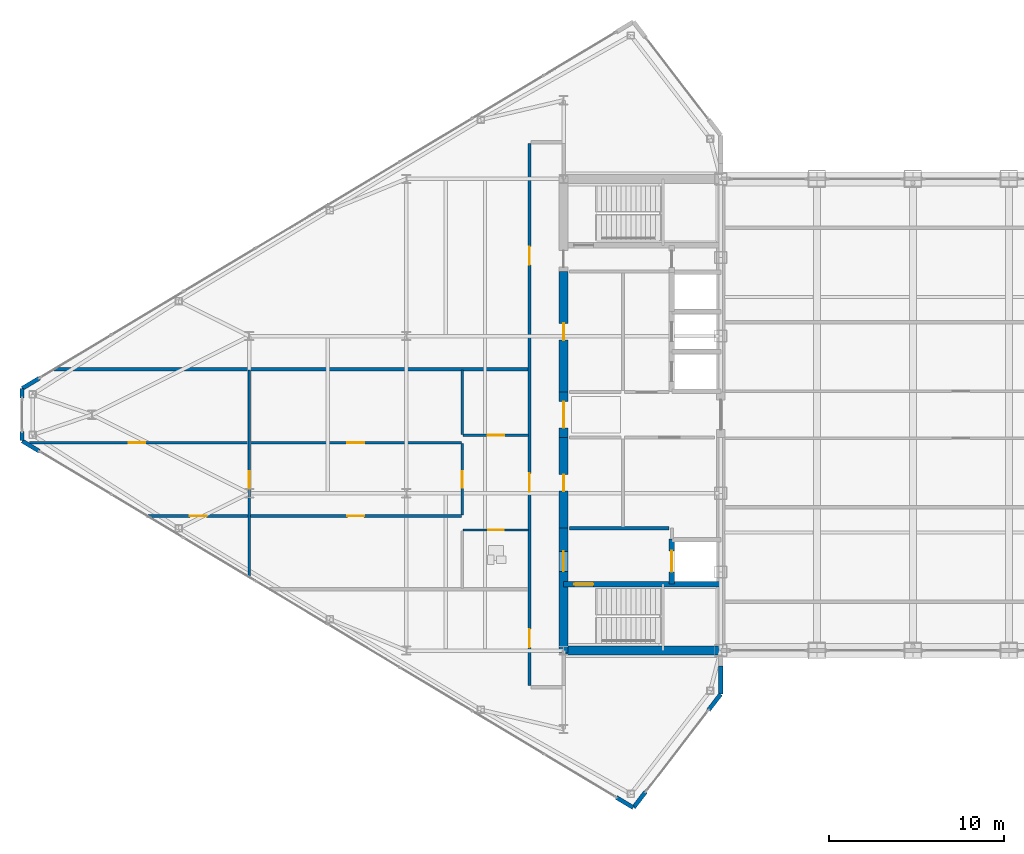
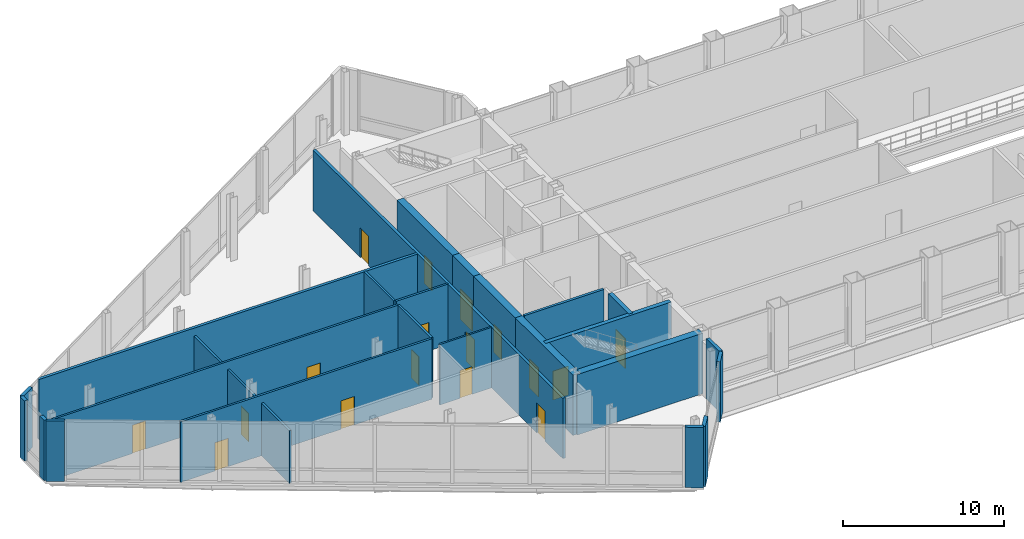
# One storey, part 22 of 30: 25 walls, 17 doors, 17 openings.
"""IFC4 building model written with IfcOpenShell, lengths in metres."""

from ifc_helpers import new_model, si_unit, direction, frame, frame_2d, origin, place, context, subcontext, project, spatial, rectangle, extrude, source, transform, mapped, material, layer, layer_set, type_object, type_shapes, element, fill, save


model = new_model("IFC4")

# Units and contexts
model_context = context("Model", 3, precision=1e-05, world=origin(), true_north=direction((0.0, 1.0)))
body_context = subcontext(model_context, "Body", "Model", "MODEL_VIEW")
ifc_project = project(units=[si_unit("LENGTHUNIT", "METRE"), si_unit("AREAUNIT", "SQUARE_METRE"), si_unit("VOLUMEUNIT", "CUBIC_METRE"), si_unit("PLANEANGLEUNIT", "RADIAN"), si_unit("MASSUNIT", "GRAM", prefix="KILO")], contexts=[model_context])

# Site, building, storey
site_placement = place(None, origin())
site = spatial("IfcSite", under=ifc_project, at=site_placement, CompositionType="ELEMENT")
building_placement = place(site_placement, origin())
building = spatial("IfcBuilding", under=site, at=building_placement, Name="Seokmaru Belvedere", CompositionType="ELEMENT")
storey_placement = place(building_placement, frame((0.0, 0.0, 234.60009765625)))
storey = spatial("IfcBuildingStorey", under=building, at=storey_placement, Name="L62", CompositionType="ELEMENT", Elevation=234.60009765625)

# Wall, openings, doors
ifc_material_1 = material(Name="Fire-Rated Gypsum Shaftwall")
ifc_layer_1 = layer(ifc_material_1, 0.14990234375)
ifc_layer_set_1 = layer_set([ifc_layer_1], Name="Fire-Rated Gypsum Shaftwall")
wall_type_1 = type_object("IfcWallType", Name="Apartment Fire-Acoustic Room Partition 150", PredefinedType="PARTITIONING", material=ifc_layer_set_1)
wall_1_placement = place(storey_placement, frame((-60.367919921875, -5.800048828125, 0.0), z_axis=(0.0, 0.0, 1.0), x_axis=(1.0, 0.0, 0.0)))
wall_1 = element("IfcWall", 1, at=wall_1_placement, inside=storey, type_object=wall_type_1, Name="L62 Interior Partition 008", PredefinedType="PARTITIONING", context=body_context, shape_type="SweptSolid", body=[
    extrude(rectangle(XDim=18.017822265625, YDim=0.14990234375, at=frame_2d((9.0087890625, 0.0))), origin(), (0.0, 0.0, 1.0), 4.579833984375),
])
opening_1_placement = place(wall_1_placement, frame((11.492919921875, 0.0, 0.0)))
opening_1 = element("IfcOpeningElement", 2, at=opening_1_placement, cuts=wall_1, Name="Opening D05", PredefinedType="OPENING", context=body_context, shape_type="SweptSolid", body=[
    extrude(rectangle(XDim=0.949951171875, YDim=2.14990234375, at=frame_2d((0.47509765625, 1.074951171875))), frame((0.0, 0.0849609375, 0.0), z_axis=(0.0, -1.0, 0.0), x_axis=(1.0, 0.0, 0.0)), (0.0, 0.0, 1.0), 0.169921875),
])
opening_2_placement = place(wall_1_placement, frame((2.476318359375, 0.0, 0.0)))
opening_2 = element("IfcOpeningElement", 3, at=opening_2_placement, cuts=wall_1, Name="Opening D05", PredefinedType="OPENING", context=body_context, shape_type="SweptSolid", body=[
    extrude(rectangle(XDim=0.949951171875, YDim=2.14990234375, at=frame_2d((0.47509765625, 1.074951171875))), frame((0.0, 0.0849609375, 0.0), z_axis=(0.0, -1.0, 0.0), x_axis=(1.0, 0.0, 0.0)), (0.0, 0.0, 1.0), 0.169921875),
])
ifc_material_2 = material(Name="Engineered White Oak Timber", Category="wood")
door_type_1 = type_object("IfcDoorType", Name="Apartment Interior Fire-Rated Oak Door 950x2150", OperationType="NOTDEFINED", PredefinedType="DOOR", material=ifc_material_2)
shared_shape_1 = source(origin(), body_context, "Body", "SweptSolid", [
    extrude(rectangle(XDim=0.949951171875, YDim=2.14990234375, at=frame_2d((0.47509765625, 1.074951171875))), frame((0.0, 0.02490234375, 0.0), z_axis=(0.0, -1.0, 0.0), x_axis=(1.0, 0.0, 0.0)), (0.0, 0.0, 1.0), 0.050048828125),
])
type_shapes(door_type_1, [shared_shape_1])
door_1_placement = place(opening_1_placement, origin())
door_1 = element("IfcDoor", 4, at=door_1_placement, inside=storey, type_object=door_type_1, Name="L62 Interior Door 007", OperationType="SINGLE_SWING_LEFT", OverallHeight=2.14990234375, OverallWidth=0.949951171875, PredefinedType="DOOR", context=body_context, shape_type="MappedRepresentation", body=[
    mapped(shared_shape_1, transform((0.0, 0.0, 0.0), scale=1.0)),
])
fill(opening_1, door_1)
door_2_placement = place(opening_2_placement, origin())
door_2 = element("IfcDoor", 5, at=door_2_placement, inside=storey, type_object=door_type_1, Name="L62 Interior Door 009", OperationType="SINGLE_SWING_RIGHT", OverallHeight=2.14990234375, OverallWidth=0.949951171875, PredefinedType="DOOR", context=body_context, shape_type="MappedRepresentation", body=[
    mapped(shared_shape_1, transform((0.0, 0.0, 0.0), scale=1.0)),
])
fill(opening_2, door_2)

wall_2_placement = place(storey_placement, frame((-67.09033203125, -1.60009765625, 0.0), z_axis=(0.0, 0.0, 1.0), x_axis=(1.0, 0.0, 0.0)))
wall_2 = element("IfcWall", 6, at=wall_2_placement, inside=storey, type_object=wall_type_1, Name="L62 Interior Partition 011", PredefinedType="PARTITIONING", context=body_context, shape_type="SweptSolid", body=[
    extrude(rectangle(XDim=24.740234375, YDim=0.14990234375, at=frame_2d((12.3701171875, 0.0))), origin(), (0.0, 0.0, 1.0), 4.579833984375),
])
opening_3_placement = place(wall_2_placement, frame((18.21533203125, 0.0, 0.0)))
opening_3 = element("IfcOpeningElement", 7, at=opening_3_placement, cuts=wall_2, Name="Opening D05", PredefinedType="OPENING", context=body_context, shape_type="SweptSolid", body=[
    extrude(rectangle(XDim=0.949951171875, YDim=2.14990234375, at=frame_2d((0.47509765625, 1.074951171875))), frame((0.0, 0.0849609375, 0.0), z_axis=(0.0, -1.0, 0.0), x_axis=(1.0, 0.0, 0.0)), (0.0, 0.0, 1.0), 0.169921875),
])
opening_4_placement = place(wall_2_placement, frame((5.698486328125, 0.0, 0.0)))
opening_4 = element("IfcOpeningElement", 8, at=opening_4_placement, cuts=wall_2, Name="Opening D05", PredefinedType="OPENING", context=body_context, shape_type="SweptSolid", body=[
    extrude(rectangle(XDim=0.949951171875, YDim=2.14990234375, at=frame_2d((0.47509765625, 1.074951171875))), frame((0.0, 0.0849609375, 0.0), z_axis=(0.0, -1.0, 0.0), x_axis=(1.0, 0.0, 0.0)), (0.0, 0.0, 1.0), 0.169921875),
])
door_3_placement = place(opening_3_placement, origin())
door_3 = element("IfcDoor", 9, at=door_3_placement, inside=storey, type_object=door_type_1, Name="L62 Interior Door 008", OperationType="SINGLE_SWING_RIGHT", OverallHeight=2.14990234375, OverallWidth=0.949951171875, PredefinedType="DOOR", context=body_context, shape_type="MappedRepresentation", body=[
    mapped(shared_shape_1, transform((0.0, 0.0, 0.0), scale=1.0)),
])
fill(opening_3, door_3)
door_4_placement = place(opening_4_placement, origin())
door_4 = element("IfcDoor", 10, at=door_4_placement, inside=storey, type_object=door_type_1, Name="L62 Interior Door 010", OperationType="SINGLE_SWING_RIGHT", OverallHeight=2.14990234375, OverallWidth=0.949951171875, PredefinedType="DOOR", context=body_context, shape_type="MappedRepresentation", body=[
    mapped(shared_shape_1, transform((0.0, 0.0, 0.0), scale=1.0)),
])
fill(opening_4, door_4)

# Wall, opening, door
wall_3_placement = place(storey_placement, frame((-42.25, -1.179931640625, 0.0), z_axis=(0.0, 0.0, 1.0), x_axis=(1.0, 0.0, 0.0)))
wall_3 = element("IfcWall", 11, at=wall_3_placement, inside=storey, type_object=wall_type_1, Name="L62 Interior Partition 014", PredefinedType="PARTITIONING", context=body_context, shape_type="SweptSolid", body=[
    extrude(rectangle(XDim=3.75, YDim=0.14990234375, at=frame_2d((1.875, 0.0))), origin(), (0.0, 0.0, 1.0), 4.579833984375),
])
opening_5_placement = place(wall_3_placement, frame((1.39990234375, 0.0, 0.0)))
opening_5 = element("IfcOpeningElement", 12, at=opening_5_placement, cuts=wall_3, Name="Opening D05", PredefinedType="OPENING", context=body_context, shape_type="SweptSolid", body=[
    extrude(rectangle(XDim=0.949951171875, YDim=2.14990234375, at=frame_2d((0.47509765625, 1.074951171875))), frame((0.0, 0.0849609375, 0.0), z_axis=(0.0, -1.0, 0.0), x_axis=(1.0, 0.0, 0.0)), (0.0, 0.0, 1.0), 0.169921875),
])
door_5_placement = place(opening_5_placement, origin())
door_5 = element("IfcDoor", 13, at=door_5_placement, inside=storey, type_object=door_type_1, Name="L62 Interior Door 004", OperationType="SINGLE_SWING_LEFT", OverallHeight=2.14990234375, OverallWidth=0.949951171875, PredefinedType="DOOR", context=body_context, shape_type="MappedRepresentation", body=[
    mapped(shared_shape_1, transform((0.0, 0.0, 0.0), scale=1.0)),
])
fill(opening_5, door_5)

wall_4_placement = place(storey_placement, frame((-54.5, -9.3349609375, 0.0), z_axis=(0.0, 0.0, 1.0), x_axis=(0.0, 1.0, 0.0)))
wall_4 = element("IfcWall", 14, at=wall_4_placement, inside=storey, type_object=wall_type_1, Name="L62 Interior Partition 026", PredefinedType="PARTITIONING", context=body_context, shape_type="SweptSolid", body=[
    extrude(rectangle(XDim=11.885009765625, YDim=0.14990234375, at=frame_2d((5.9423828125, 0.0))), origin(), (0.0, 0.0, 1.0), 3.97998046875),
])
opening_6_placement = place(wall_4_placement, frame((5.159912109375, 0.0, 0.0)))
opening_6 = element("IfcOpeningElement", 15, at=opening_6_placement, cuts=wall_4, Name="Opening D05", PredefinedType="OPENING", context=body_context, shape_type="SweptSolid", body=[
    extrude(rectangle(XDim=0.949951171875, YDim=2.14990234375, at=frame_2d((0.47509765625, 1.074951171875))), frame((0.0, 0.0849609375, 0.0), z_axis=(0.0, -1.0, 0.0), x_axis=(1.0, 0.0, 0.0)), (0.0, 0.0, 1.0), 0.169921875),
])
door_6_placement = place(opening_6_placement, origin())
door_6 = element("IfcDoor", 16, at=door_6_placement, inside=storey, type_object=door_type_1, Name="L62 Interior Door 006", OperationType="SINGLE_SWING_LEFT", OverallHeight=2.14990234375, OverallWidth=0.949951171875, PredefinedType="DOOR", context=body_context, shape_type="MappedRepresentation", body=[
    mapped(shared_shape_1, transform((0.0, 0.0, 0.0), scale=1.0)),
])
fill(opening_6, door_6)

wall_5_placement = place(storey_placement, frame((-42.300048828125, -5.75, 0.0), z_axis=(0.0, 0.0, 1.0), x_axis=(0.0, 1.0, 0.0)))
wall_5 = element("IfcWall", 17, at=wall_5_placement, inside=storey, type_object=wall_type_1, Name="L62 Interior Partition 028", PredefinedType="PARTITIONING", context=body_context, shape_type="SweptSolid", body=[
    extrude(rectangle(XDim=4.10009765625, YDim=0.14990234375, at=frame_2d((2.050048828125, 0.0))), origin(), (0.0, 0.0, 1.0), 4.579833984375),
])
opening_7_placement = place(wall_5_placement, frame((1.574951171875, 0.0, 0.0)))
opening_7 = element("IfcOpeningElement", 18, at=opening_7_placement, cuts=wall_5, Name="Opening D05", PredefinedType="OPENING", context=body_context, shape_type="SweptSolid", body=[
    extrude(rectangle(XDim=0.949951171875, YDim=2.14990234375, at=frame_2d((0.47509765625, 1.074951171875))), frame((0.0, 0.0849609375, 0.0), z_axis=(0.0, -1.0, 0.0), x_axis=(1.0, 0.0, 0.0)), (0.0, 0.0, 1.0), 0.169921875),
])
door_7_placement = place(opening_7_placement, origin())
door_7 = element("IfcDoor", 19, at=door_7_placement, inside=storey, type_object=door_type_1, Name="L62 Interior Door 005", OperationType="SINGLE_SWING_RIGHT", OverallHeight=2.14990234375, OverallWidth=0.949951171875, PredefinedType="DOOR", context=body_context, shape_type="MappedRepresentation", body=[
    mapped(shared_shape_1, transform((0.0, 0.0, 0.0), scale=1.0)),
])
fill(opening_7, door_7)

# Walls
wall_6_placement = place(storey_placement, frame((-42.300048828125, -1.1279296875, 0.0), z_axis=(0.0, 0.0, 1.0), x_axis=(0.0, 1.0, 0.0)))
element("IfcWall", 20, at=wall_6_placement, inside=storey, type_object=wall_type_1, Name="L62 Interior Partition 029", PredefinedType="PARTITIONING", context=body_context, shape_type="SweptSolid", body=[
    extrude(rectangle(XDim=3.677978515625, YDim=0.14990234375, at=frame_2d((1.8388671875, 0.0))), origin(), (0.0, 0.0, 1.0), 4.579833984375),
])
ifc_layer_2 = layer(ifc_material_1, 0.179931640625)
ifc_layer_set_2 = layer_set([ifc_layer_2], Name="Fire-Rated Gypsum Shaftwall")
wall_type_2 = type_object("IfcWallType", Name="Core Service Fire Partition 180", PredefinedType="PARTITIONING", material=ifc_layer_set_2)
wall_7_placement = place(storey_placement, frame((-36.14990234375, -6.5, 0.0), z_axis=(0.0, 0.0, 1.0), x_axis=(1.0, 0.0, 0.0)))
element("IfcWall", 21, at=wall_7_placement, inside=storey, type_object=wall_type_2, Name="L62 West Firefighting Lobby Partition", PredefinedType="PARTITIONING", context=body_context, shape_type="SweptSolid", body=[
    extrude(rectangle(XDim=5.699951171875, YDim=0.179931640625, at=frame_2d((2.85009765625, 0.0))), origin(), (0.0, 0.0, 1.0), 4.579833984375),
])
ifc_layer_3 = layer(ifc_material_1, 0.199951171875)
ifc_layer_set_3 = layer_set([ifc_layer_3], Name="Fire-Rated Gypsum Shaftwall")
wall_type_3 = type_object("IfcWallType", Name="Inter-Tenancy Fire Compartment Partition 200", PredefinedType="PARTITIONING", material=ifc_layer_set_3)
wall_8_placement = place(storey_placement, frame((-65.676025390625, 2.60009765625, 0.0), z_axis=(0.0, 0.0, 1.0), x_axis=(1.0, 0.0, 0.0)))
element("IfcWall", 22, at=wall_8_placement, inside=storey, type_object=wall_type_3, Name="L62 Interior Partition 019", PredefinedType="PARTITIONING", context=body_context, shape_type="SweptSolid", body=[
    extrude(rectangle(XDim=27.14599609375, YDim=0.199951171875, at=frame_2d((13.572998046875, 0.0))), origin(), (0.0, 0.0, 1.0), 4.579833984375),
])

# Wall, openings, doors
wall_9_placement = place(storey_placement, frame((-38.449951171875, -15.514892578125, 0.0), z_axis=(0.0, 0.0, 1.0), x_axis=(0.0, 1.0, 0.0)))
wall_9 = element("IfcWall", 23, at=wall_9_placement, inside=storey, type_object=wall_type_3, Name="L62 Interior Partition 030", PredefinedType="PARTITIONING", context=body_context, shape_type="SweptSolid", body=[
    extrude(rectangle(XDim=31.02978515625, YDim=0.199951171875, at=frame_2d((15.514892578125, 0.0))), origin(), (0.0, 0.0, 1.0), 4.579833984375),
])
opening_8_placement = place(wall_9_placement, frame((2.18994140625, 0.0, 0.0)))
opening_8 = element("IfcOpeningElement", 24, at=opening_8_placement, cuts=wall_9, Name="Opening D03", PredefinedType="OPENING", context=body_context, shape_type="SweptSolid", body=[
    extrude(rectangle(XDim=1.050048828125, YDim=2.25, at=frame_2d((0.52490234375, 1.125))), frame((0.0, 0.10986328125, 0.0), z_axis=(0.0, -1.0, 0.0), x_axis=(1.0, 0.0, 0.0)), (0.0, 0.0, 1.0), 0.219970703125),
])
opening_9_placement = place(wall_9_placement, frame((11.10107421875, 0.0, 0.0)))
opening_9 = element("IfcOpeningElement", 25, at=opening_9_placement, cuts=wall_9, Name="Opening D03", PredefinedType="OPENING", context=body_context, shape_type="SweptSolid", body=[
    extrude(rectangle(XDim=1.050048828125, YDim=2.25, at=frame_2d((0.52490234375, 1.125))), frame((0.0, 0.10986328125, 0.0), z_axis=(0.0, -1.0, 0.0), x_axis=(1.0, 0.0, 0.0)), (0.0, 0.0, 1.0), 0.219970703125),
])
opening_10_placement = place(wall_9_placement, frame((24.090087890625, 0.0, 0.0)))
opening_10 = element("IfcOpeningElement", 26, at=opening_10_placement, cuts=wall_9, Name="Opening D03", PredefinedType="OPENING", context=body_context, shape_type="SweptSolid", body=[
    extrude(rectangle(XDim=1.050048828125, YDim=2.25, at=frame_2d((0.52490234375, 1.125))), frame((0.0, 0.10986328125, 0.0), z_axis=(0.0, -1.0, 0.0), x_axis=(1.0, 0.0, 0.0)), (0.0, 0.0, 1.0), 0.219970703125),
])
ifc_material_3 = material(Name="Fire-Rated Steel Leaf", Category="steel")
door_type_2 = type_object("IfcDoorType", Name="Apartment Entrance Fire Door 1050x2250", OperationType="NOTDEFINED", PredefinedType="DOOR", material=ifc_material_3)
shared_shape_2 = source(origin(), body_context, "Body", "SweptSolid", [
    extrude(rectangle(XDim=1.050048828125, YDim=2.25, at=frame_2d((0.52490234375, 1.125))), frame((0.0, 0.02490234375, 0.0), z_axis=(0.0, -1.0, 0.0), x_axis=(1.0, 0.0, 0.0)), (0.0, 0.0, 1.0), 0.050048828125),
])
type_shapes(door_type_2, [shared_shape_2])
door_8_placement = place(opening_8_placement, origin())
door_8 = element("IfcDoor", 27, at=door_8_placement, inside=storey, type_object=door_type_2, Name="L62 Interior Door 001", OperationType="SINGLE_SWING_RIGHT", OverallHeight=2.25, OverallWidth=1.050048828125, PredefinedType="DOOR", context=body_context, shape_type="MappedRepresentation", body=[
    mapped(shared_shape_2, transform((0.0, 0.0, 0.0), scale=1.0)),
])
fill(opening_8, door_8)
door_9_placement = place(opening_9_placement, origin())
door_9 = element("IfcDoor", 28, at=door_9_placement, inside=storey, type_object=door_type_2, Name="L62 Interior Door 002", OperationType="SINGLE_SWING_LEFT", OverallHeight=2.25, OverallWidth=1.050048828125, PredefinedType="DOOR", context=body_context, shape_type="MappedRepresentation", body=[
    mapped(shared_shape_2, transform((0.0, 0.0, 0.0), scale=1.0)),
])
fill(opening_9, door_9)
door_10_placement = place(opening_10_placement, origin())
door_10 = element("IfcDoor", 29, at=door_10_placement, inside=storey, type_object=door_type_2, Name="L62 Interior Door 011", OperationType="SINGLE_SWING_RIGHT", OverallHeight=2.25, OverallWidth=1.050048828125, PredefinedType="DOOR", context=body_context, shape_type="MappedRepresentation", body=[
    mapped(shared_shape_2, transform((0.0, 0.0, 0.0), scale=1.0)),
])
fill(opening_10, door_10)

# Wall, opening, door
ifc_material_4 = material(Name="Concrete C50 (50 MPa)", Category="concrete")
ifc_layer_4 = layer(ifc_material_4, 0.300048828125)
ifc_layer_set_4 = layer_set([ifc_layer_4], Name="Concrete C50 (50 MPa)")
wall_type_4 = type_object("IfcWallType", Name="Internal Core Stair and Hoistway Wall 300", PredefinedType="SHEAR", material=ifc_layer_set_4)
wall_10_placement = place(storey_placement, frame((-36.5, -9.699951171875, 0.0), z_axis=(0.0, 0.0, 1.0), x_axis=(1.0, 0.0, 0.0)))
wall_10 = element("IfcWall", 30, at=wall_10_placement, inside=storey, type_object=wall_type_4, Name="L62 West Stair ST-1 Enclosure Wall", PredefinedType="SHEAR", context=body_context, shape_type="SweptSolid", body=[
    extrude(rectangle(XDim=9.0, YDim=0.300048828125, at=frame_2d((4.5, 0.0))), origin(), (0.0, 0.0, 1.0), 4.579833984375),
])
opening_11_placement = place(wall_10_placement, frame((0.60009765625, 0.0, 0.0)))
opening_11 = element("IfcOpeningElement", 31, at=opening_11_placement, cuts=wall_10, Name="Opening D01", PredefinedType="OPENING", context=body_context, shape_type="SweptSolid", body=[
    extrude(rectangle(XDim=1.10009765625, YDim=2.199951171875, at=frame_2d((0.550048828125, 1.10009765625))), frame((0.0, 0.16015625, 0.0), z_axis=(0.0, -1.0, 0.0), x_axis=(1.0, 0.0, 0.0)), (0.0, 0.0, 1.0), 0.320068359375),
])
door_type_3 = type_object("IfcDoorType", Name="Special Escape Stair Smokeproof Fire Door 1100x2200", OperationType="NOTDEFINED", PredefinedType="DOOR", material=ifc_material_3)
shared_shape_3 = source(origin(), body_context, "Body", "SweptSolid", [
    extrude(rectangle(XDim=1.10009765625, YDim=2.199951171875, at=frame_2d((0.550048828125, 1.10009765625))), frame((0.0, 0.02490234375, 0.0), z_axis=(0.0, -1.0, 0.0), x_axis=(1.0, 0.0, 0.0)), (0.0, 0.0, 1.0), 0.050048828125),
])
type_shapes(door_type_3, [shared_shape_3])
door_11_placement = place(opening_11_placement, frame((1.10009765625, 0.0, 0.0), z_axis=(0.0, 0.0, 1.0), x_axis=(-1.0, 0.0, 0.0)))
door_11 = element("IfcDoor", 32, at=door_11_placement, inside=storey, type_object=door_type_3, Name="L62 West Special Escape Stair ST-1 Door", OperationType="SINGLE_SWING_LEFT", OverallHeight=2.199951171875, OverallWidth=1.10009765625, PredefinedType="DOOR", context=body_context, shape_type="MappedRepresentation", body=[
    mapped(shared_shape_3, transform((0.0, 0.0, 0.0), scale=1.0)),
])
fill(opening_11, door_11)

wall_11_placement = place(storey_placement, frame((-30.300048828125, -9.679931640625, 0.0), z_axis=(0.0, 0.0, 1.0), x_axis=(0.0, 1.0, 0.0)))
wall_11 = element("IfcWall", 33, at=wall_11_placement, inside=storey, type_object=wall_type_4, Name="L62 West Firefighting Lift Shaft Front Wall", PredefinedType="SHEAR", context=body_context, shape_type="SweptSolid", body=[
    extrude(rectangle(XDim=2.559814453125, YDim=0.300048828125, at=frame_2d((1.27978515625, 0.0))), origin(), (0.0, 0.0, 1.0), 4.579833984375),
])
opening_12_placement = place(wall_11_placement, frame((0.679931640625, 0.0, 0.0)))
opening_12 = element("IfcOpeningElement", 34, at=opening_12_placement, cuts=wall_11, Name="Opening LD2", PredefinedType="OPENING", context=body_context, shape_type="SweptSolid", body=[
    extrude(rectangle(XDim=1.199951171875, YDim=2.25, at=frame_2d((0.60009765625, 1.125))), frame((0.0, 0.16015625, 0.0), z_axis=(0.0, -1.0, 0.0), x_axis=(1.0, 0.0, 0.0)), (0.0, 0.0, 1.0), 0.320068359375),
])
ifc_material_5 = material(Name="Stainless Steel 316", Category="steel")
door_type_4 = type_object("IfcDoorType", Name="Firefighting Lift Sliding Landing Door 1200x2250", OperationType="DOUBLE_DOOR_SLIDING", PredefinedType="DOOR", material=ifc_material_5)
shared_shape_4 = source(origin(), body_context, "Body", "SweptSolid", [
    extrude(rectangle(XDim=1.199951171875, YDim=2.25, at=frame_2d((0.60009765625, 1.125))), frame((0.0, 0.02490234375, 0.0), z_axis=(0.0, -1.0, 0.0), x_axis=(1.0, 0.0, 0.0)), (0.0, 0.0, 1.0), 0.050048828125),
])
type_shapes(door_type_4, [shared_shape_4])
door_12_placement = place(opening_12_placement, origin())
door_12 = element("IfcDoor", 35, at=door_12_placement, inside=storey, type_object=door_type_4, Name="L62 West Firefighting Lift Landing Door", OperationType="DOUBLE_DOOR_SLIDING", OverallHeight=2.25, OverallWidth=1.199951171875, PredefinedType="DOOR", context=body_context, shape_type="MappedRepresentation", body=[
    mapped(shared_shape_4, transform((0.0, 0.0, 0.0), scale=1.0)),
])
fill(opening_12, door_12)

ifc_layer_5 = layer(ifc_material_1, 0.1298828125)
ifc_layer_set_5 = layer_set([ifc_layer_5], Name="Fire-Rated Gypsum Shaftwall")
wall_type_5 = type_object("IfcWallType", Name="Moisture-Resistant Fire-Rated Bathroom Partition 130", PredefinedType="PARTITIONING", material=ifc_layer_set_5)
wall_12_placement = place(storey_placement, frame((-42.25, -6.60009765625, 0.0), z_axis=(0.0, 0.0, 1.0), x_axis=(1.0, 0.0, 0.0)))
wall_12 = element("IfcWall", 36, at=wall_12_placement, inside=storey, type_object=wall_type_5, Name="L62 Interior Partition 006", PredefinedType="PARTITIONING", context=body_context, shape_type="SweptSolid", body=[
    extrude(rectangle(XDim=3.75, YDim=0.1298828125, at=frame_2d((1.875, 0.0))), origin(), (0.0, 0.0, 1.0), 4.579833984375),
])
opening_13_placement = place(wall_12_placement, frame((1.43505859375, 0.0, 0.0)))
opening_13 = element("IfcOpeningElement", 37, at=opening_13_placement, cuts=wall_12, Name="Opening D06", PredefinedType="OPENING", context=body_context, shape_type="SweptSolid", body=[
    extrude(rectangle(XDim=0.8798828125, YDim=2.10009765625, at=frame_2d((0.43994140625, 1.050048828125))), frame((0.0, 0.074951171875, 0.0), z_axis=(0.0, -1.0, 0.0), x_axis=(1.0, 0.0, 0.0)), (0.0, 0.0, 1.0), 0.14990234375),
])
door_type_5 = type_object("IfcDoorType", Name="Bathroom and Restroom Fire-Rated Door 880x2100", OperationType="NOTDEFINED", PredefinedType="DOOR", material=ifc_material_2)
shared_shape_5 = source(origin(), body_context, "Body", "SweptSolid", [
    extrude(rectangle(XDim=0.8798828125, YDim=2.10009765625, at=frame_2d((0.43994140625, 1.050048828125))), frame((0.0, 0.02490234375, 0.0), z_axis=(0.0, -1.0, 0.0), x_axis=(1.0, 0.0, 0.0)), (0.0, 0.0, 1.0), 0.050048828125),
])
type_shapes(door_type_5, [shared_shape_5])
door_13_placement = place(opening_13_placement, origin())
door_13 = element("IfcDoor", 38, at=door_13_placement, inside=storey, type_object=door_type_5, Name="L62 Interior Door 003", OperationType="SINGLE_SWING_LEFT", OverallHeight=2.10009765625, OverallWidth=0.8798828125, PredefinedType="DOOR", context=body_context, shape_type="MappedRepresentation", body=[
    mapped(shared_shape_5, transform((0.0, 0.0, 0.0), scale=1.0)),
])
fill(opening_13, door_13)

# Walls
ifc_material_6 = material(Name="Anodised Bronze Aluminium", Category="aluminium")
ifc_layer_6 = layer(ifc_material_6, 0.239990234375)
ifc_layer_set_6 = layer_set([ifc_layer_6], Name="Anodised Bronze Aluminium")
wall_type_6 = type_object("IfcWallType", Name="Tower Corner Spandrel Closure Wall 240", PredefinedType="SOLIDWALL", material=ifc_layer_set_6)
wall_13_placement = place(storey_placement, frame((-27.5, -15.97998046875, 0.0), z_axis=(0.0, 0.0, 1.0), x_axis=(0.0, 1.0, 0.0)))
element("IfcWall", 39, at=wall_13_placement, inside=storey, type_object=wall_type_6, Name="L62 W Shoulder Closure Wall 1", PredefinedType="SOLIDWALL", context=body_context, shape_type="SweptSolid", body=[
    extrude(rectangle(XDim=1.605224609375, YDim=0.239990234375, at=frame_2d((0.802734375, 0.0))), origin(), (0.0, 0.0, 1.0), 4.579833984375),
])
wall_14_placement = place(storey_placement, frame((-66.513916015625, 2.091796875, 0.0), z_axis=(0.0, 0.0, 1.0), x_axis=(-0.85743623509, -0.514590228002, 0.0)))
element("IfcWall", 40, at=wall_14_placement, inside=storey, type_object=wall_type_6, Name="L62 W Corner Closure Pier 3B", PredefinedType="SOLIDWALL", context=body_context, shape_type="SweptSolid", body=[
    extrude(rectangle(XDim=1.14013671875, YDim=0.239990234375, at=frame_2d((0.570068359375, 0.0))), origin(), (0.0, 0.0, 1.0), 4.579833984375),
])
for number, where, z_axis, x_axis, name in (
    (41, (-67.5, 1.489990234375, 0.0), (0.0, 0.0, 1.0), (0.0, -1.0, 0.0), "L62 W Apex Closure Pier 4A"),
    (42, (-67.5, -0.949951171875, 0.0), (0.0, 0.0, 1.0), (0.0, -1.0, 0.0), "L62 W Apex Closure Pier 4B"),
):
    element("IfcWall", number, at=place(storey_placement, frame(where, z_axis=z_axis, x_axis=x_axis)), inside=storey, type_object=wall_type_6, Name=name, PredefinedType="SOLIDWALL", context=body_context, shape_type="SweptSolid", body=[
        extrude(rectangle(XDim=0.5400390625, YDim=0.239990234375, at=frame_2d((0.27001953125, 0.0))), origin(), (0.0, 0.0, 1.0), 4.579833984375),
    ])
for number, where, z_axis, x_axis, name in (
    (43, (-67.491455078125, -1.505126953125, 0.0), (0.0, 0.0, 1.0), (0.85743623509, -0.514590228002, 0.0), "L62 W Corner Closure Pier 5A"),
    (44, (-33.486083984375, -21.908203125, 0.0), (0.0, 0.0, 1.0), (0.85743623509, -0.514590228002, 0.0), "L62 W Corner Closure Pier 5B"),
    (45, (-32.493896484375, -22.4921875, 0.0), (0.0, 0.0, 1.0), (0.609617623633, 0.792695624408, 0.0), "L62 W Corner Closure Pier 6A"),
    (46, (-28.201171875, -16.91162109375, 0.0), (0.0, 0.0, 1.0), (0.609617623633, 0.792695624408, 0.0), "L62 W Corner Closure Pier 6B"),
):
    element("IfcWall", number, at=place(storey_placement, frame(where, z_axis=z_axis, x_axis=x_axis)), inside=storey, type_object=wall_type_6, Name=name, PredefinedType="SOLIDWALL", context=body_context, shape_type="SweptSolid", body=[
        extrude(rectangle(XDim=1.14013671875, YDim=0.239990234375, at=frame_2d((0.570068359375, 0.0))), origin(), (0.0, 0.0, 1.0), 4.579833984375),
    ])
ifc_layer_7 = layer(ifc_material_4, 0.5)
ifc_layer_set_7 = layer_set([ifc_layer_7], Name="Concrete C50 (50 MPa)")
wall_type_7 = type_object("IfcWallType", Name="Upper Tower Reinforced Concrete Core Wall 500", PredefinedType="SHEAR", material=ifc_layer_set_7)
wall_15_placement = place(storey_placement, frame((-36.5, -13.5, 0.0), z_axis=(0.0, 0.0, 1.0), x_axis=(1.0, 0.0, 0.0)))
element("IfcWall", 47, at=wall_15_placement, inside=storey, type_object=wall_type_7, Name="L62 West South Core Wall", PredefinedType="SHEAR", context=body_context, shape_type="SweptSolid", body=[
    extrude(rectangle(XDim=9.0, YDim=0.5, at=frame_2d((4.5, 0.0))), origin(), (0.0, 0.0, 1.0), 4.579833984375),
])

# Wall, opening, door
wall_16_placement = place(storey_placement, frame((-36.5, -13.64990234375, 0.0), z_axis=(0.0, 0.0, 1.0), x_axis=(0.0, 1.0, 0.0)))
wall_16 = element("IfcWall", 48, at=wall_16_placement, inside=storey, type_object=wall_type_7, Name="L62 West West Core Wall FF", PredefinedType="SHEAR", context=body_context, shape_type="SweptSolid", body=[
    extrude(rectangle(XDim=7.14990234375, YDim=0.5, at=frame_2d((3.574951171875, 0.0))), origin(), (0.0, 0.0, 1.0), 4.579833984375),
])
opening_14_placement = place(wall_16_placement, frame((4.675048828125, 0.0, 0.0)))
opening_14 = element("IfcOpeningElement", 49, at=opening_14_placement, cuts=wall_16, Name="Opening D02", PredefinedType="OPENING", context=body_context, shape_type="SweptSolid", body=[
    extrude(rectangle(XDim=1.14990234375, YDim=2.199951171875, at=frame_2d((0.574951171875, 1.10009765625))), frame((0.0, 0.260009765625, 0.0), z_axis=(0.0, -1.0, 0.0), x_axis=(1.0, 0.0, 0.0)), (0.0, 0.0, 1.0), 0.52001953125),
])
door_type_6 = type_object("IfcDoorType", Name="Lobby and Vestibule Fire Door 1150x2200", OperationType="NOTDEFINED", PredefinedType="DOOR", material=ifc_material_3)
shared_shape_6 = source(origin(), body_context, "Body", "SweptSolid", [
    extrude(rectangle(XDim=1.14990234375, YDim=2.199951171875, at=frame_2d((0.574951171875, 1.10009765625))), frame((0.0, 0.02490234375, 0.0), z_axis=(0.0, -1.0, 0.0), x_axis=(1.0, 0.0, 0.0)), (0.0, 0.0, 1.0), 0.050048828125),
])
type_shapes(door_type_6, [shared_shape_6])
door_14_placement = place(opening_14_placement, frame((1.14990234375, 0.0, 0.0), z_axis=(0.0, 0.0, 1.0), x_axis=(-1.0, 0.0, 0.0)))
door_14 = element("IfcDoor", 50, at=door_14_placement, inside=storey, type_object=door_type_6, Name="L62 West Firefighting Lobby Door", OperationType="SINGLE_SWING_LEFT", OverallHeight=2.199951171875, OverallWidth=1.14990234375, PredefinedType="DOOR", context=body_context, shape_type="MappedRepresentation", body=[
    mapped(shared_shape_6, transform((0.0, 0.0, 0.0), scale=1.0)),
])
fill(opening_14, door_14)

wall_17_placement = place(storey_placement, frame((-36.5, -1.300048828125, 0.0), z_axis=(0.0, 0.0, 1.0), x_axis=(0.0, 1.0, 0.0)))
wall_17 = element("IfcWall", 51, at=wall_17_placement, inside=storey, type_object=wall_type_7, Name="L62 West West Core Wall FOY", PredefinedType="SHEAR", context=body_context, shape_type="SweptSolid", body=[
    extrude(rectangle(XDim=2.60009765625, YDim=0.5, at=frame_2d((1.300048828125, 0.0))), origin(), (0.0, 0.0, 1.0), 4.579833984375),
])
opening_15_placement = place(wall_17_placement, frame((0.550048828125, 0.0, 0.0)))
opening_15 = element("IfcOpeningElement", 52, at=opening_15_placement, cuts=wall_17, Name="Opening D08", PredefinedType="OPENING", context=body_context, shape_type="SweptSolid", body=[
    extrude(rectangle(XDim=1.5, YDim=2.300048828125, at=frame_2d((0.75, 1.14990234375))), frame((0.0, 0.260009765625, 0.0), z_axis=(0.0, -1.0, 0.0), x_axis=(1.0, 0.0, 0.0)), (0.0, 0.0, 1.0), 0.52001953125),
])
door_type_7 = type_object("IfcDoorType", Name="Cross-Corridor Compartment Double Fire Door 1500x2300", OperationType="DOUBLE_SWING_LEFT", PredefinedType="DOOR", material=ifc_material_3)
shared_shape_7 = source(origin(), body_context, "Body", "SweptSolid", [
    extrude(rectangle(XDim=1.5, YDim=2.300048828125, at=frame_2d((0.75, 1.14990234375))), frame((0.0, 0.02490234375, 0.0), z_axis=(0.0, -1.0, 0.0), x_axis=(1.0, 0.0, 0.0)), (0.0, 0.0, 1.0), 0.050048828125),
])
type_shapes(door_type_7, [shared_shape_7])
door_15_placement = place(opening_15_placement, origin())
door_15 = element("IfcDoor", 53, at=door_15_placement, inside=storey, type_object=door_type_7, Name="L62 West Core Foyer Compartment Door", OperationType="DOUBLE_SWING_LEFT", OverallHeight=2.300048828125, OverallWidth=1.5, PredefinedType="DOOR", context=body_context, shape_type="MappedRepresentation", body=[
    mapped(shared_shape_7, transform((0.0, 0.0, 0.0), scale=1.0)),
])
fill(opening_15, door_15)

wall_18_placement = place(storey_placement, frame((-36.5, -6.5, 0.0), z_axis=(0.0, 0.0, 1.0), x_axis=(0.0, 1.0, 0.0)))
wall_18 = element("IfcWall", 54, at=wall_18_placement, inside=storey, type_object=wall_type_7, Name="L62 West West Core Wall CS1", PredefinedType="SHEAR", context=body_context, shape_type="SweptSolid", body=[
    extrude(rectangle(XDim=5.199951171875, YDim=0.5, at=frame_2d((2.60009765625, 0.0))), origin(), (0.0, 0.0, 1.0), 4.579833984375),
])
opening_16_placement = place(wall_18_placement, frame((2.125, 0.0, 0.0)))
opening_16 = element("IfcOpeningElement", 55, at=opening_16_placement, cuts=wall_18, Name="Opening D04", PredefinedType="OPENING", context=body_context, shape_type="SweptSolid", body=[
    extrude(rectangle(XDim=0.949951171875, YDim=2.14990234375, at=frame_2d((0.47509765625, 1.074951171875))), frame((0.0, 0.260009765625, 0.0), z_axis=(0.0, -1.0, 0.0), x_axis=(1.0, 0.0, 0.0)), (0.0, 0.0, 1.0), 0.52001953125),
])
door_type_8 = type_object("IfcDoorType", Name="Core Service Room Fire Door 950x2150", OperationType="NOTDEFINED", PredefinedType="DOOR", material=ifc_material_3)
shared_shape_8 = source(origin(), body_context, "Body", "SweptSolid", [
    extrude(rectangle(XDim=0.949951171875, YDim=2.14990234375, at=frame_2d((0.47509765625, 1.074951171875))), frame((0.0, 0.02490234375, 0.0), z_axis=(0.0, -1.0, 0.0), x_axis=(1.0, 0.0, 0.0)), (0.0, 0.0, 1.0), 0.050048828125),
])
type_shapes(door_type_8, [shared_shape_8])
door_16_placement = place(opening_16_placement, origin())
door_16 = element("IfcDoor", 56, at=door_16_placement, inside=storey, type_object=door_type_8, Name="L62 West Core Service Room Door 1", OperationType="SINGLE_SWING_LEFT", OverallHeight=2.14990234375, OverallWidth=0.949951171875, PredefinedType="DOOR", context=body_context, shape_type="MappedRepresentation", body=[
    mapped(shared_shape_8, transform((0.0, 0.0, 0.0), scale=1.0)),
])
fill(opening_16, door_16)

wall_19_placement = place(storey_placement, frame((-36.5, 1.300048828125, 0.0), z_axis=(0.0, 0.0, 1.0), x_axis=(0.0, 1.0, 0.0)))
wall_19 = element("IfcWall", 57, at=wall_19_placement, inside=storey, type_object=wall_type_7, Name="L62 West West Core Wall CS2", PredefinedType="SHEAR", context=body_context, shape_type="SweptSolid", body=[
    extrude(rectangle(XDim=6.89990234375, YDim=0.5, at=frame_2d((3.449951171875, 0.0))), origin(), (0.0, 0.0, 1.0), 4.579833984375),
])
opening_17_placement = place(wall_19_placement, frame((2.97509765625, 0.0, 0.0)))
opening_17 = element("IfcOpeningElement", 58, at=opening_17_placement, cuts=wall_19, Name="Opening D04", PredefinedType="OPENING", context=body_context, shape_type="SweptSolid", body=[
    extrude(rectangle(XDim=0.949951171875, YDim=2.14990234375, at=frame_2d((0.47509765625, 1.074951171875))), frame((0.0, 0.260009765625, 0.0), z_axis=(0.0, -1.0, 0.0), x_axis=(1.0, 0.0, 0.0)), (0.0, 0.0, 1.0), 0.52001953125),
])
door_17_placement = place(opening_17_placement, origin())
door_17 = element("IfcDoor", 59, at=door_17_placement, inside=storey, type_object=door_type_8, Name="L62 West Core Service Room Door 2", OperationType="SINGLE_SWING_RIGHT", OverallHeight=2.14990234375, OverallWidth=0.949951171875, PredefinedType="DOOR", context=body_context, shape_type="MappedRepresentation", body=[
    mapped(shared_shape_8, transform((0.0, 0.0, 0.0), scale=1.0)),
])
fill(opening_17, door_17)

save(model, "model.ifc")
